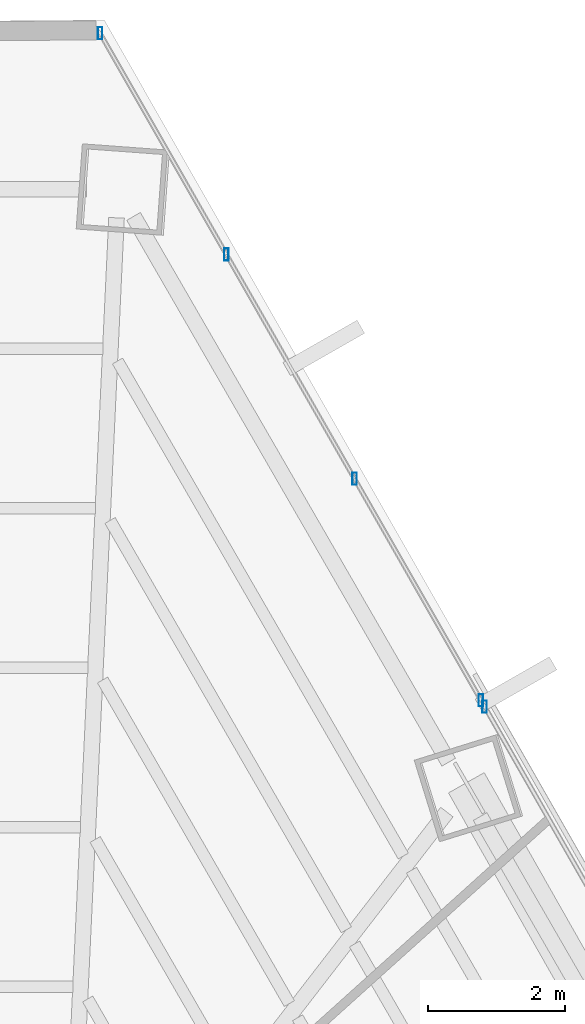
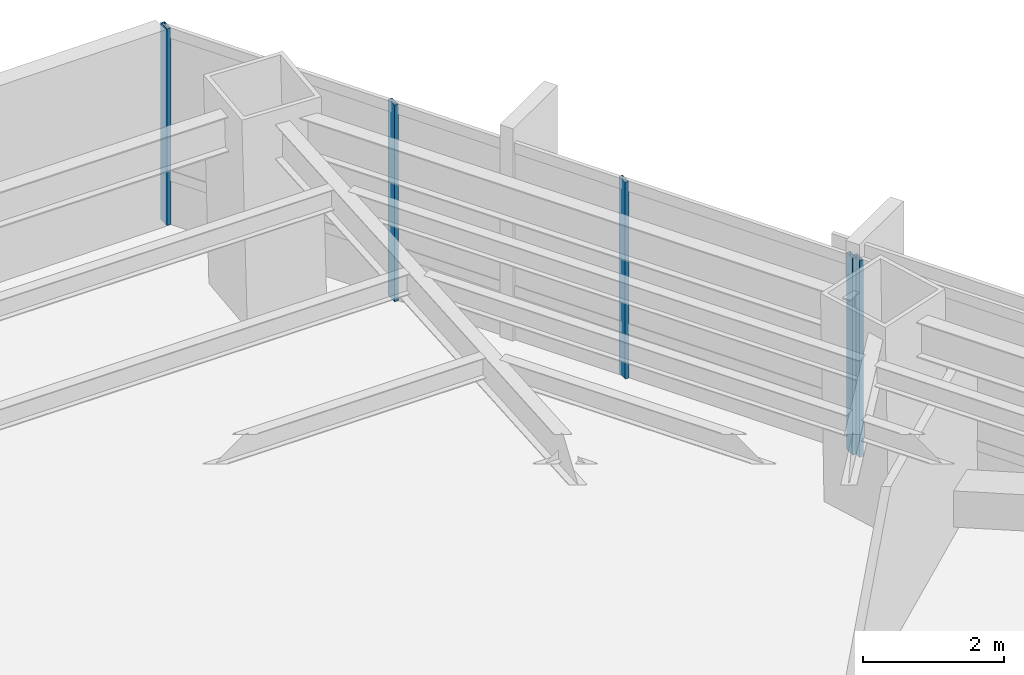
# One storey, part 30 of 38: 5 members, 2 elements without a shape of their own.
"""IFC4 building model written with IfcOpenShell, lengths in metres."""

from ifc_helpers import new_model, si_unit, direction, frame, origin, origin_2d, place, context, subcontext, project, spatial, hollow_rectangle, extrude, source, transform, mapped, material, material_profile, profile_set, type_object, type_shapes, element, aggregate, save


model = new_model("IFC4")

# Units and contexts
model_context = context("Model", 3, precision=1e-05, world=origin(), true_north=direction((0.0, 1.0)))
body_context = subcontext(model_context, "Body", "Model", "MODEL_VIEW")
ifc_project = project(units=[si_unit("LENGTHUNIT", "METRE"), si_unit("AREAUNIT", "SQUARE_METRE"), si_unit("VOLUMEUNIT", "CUBIC_METRE"), si_unit("PLANEANGLEUNIT", "RADIAN"), si_unit("MASSUNIT", "GRAM", prefix="KILO")], contexts=[model_context])

# Site, building, storey
site_placement = place(None, origin())
site = spatial("IfcSite", under=ifc_project, at=site_placement, CompositionType="ELEMENT")
building_placement = place(site_placement, origin())
building = spatial("IfcBuilding", under=site, at=building_placement, Name="Caelisora Broadcast Tower", CompositionType="ELEMENT")
storey_placement = place(building_placement, frame((0.0, 0.0, 67.75)))
storey = spatial("IfcBuildingStorey", under=building, at=storey_placement, Name="L17", CompositionType="ELEMENT", Elevation=67.75)

# Curtain wall, members
ifc_material_1 = material(Name="Unitised Aluminium and Low-E Glass Curtain Wall", Category="glass")
curtain_wall_type_1 = type_object("IfcCurtainWallType", Name="CW-Z1", PredefinedType="NOTDEFINED", material=ifc_material_1)
curtain_wall_1_placement = place(storey_placement, origin())
curtain_wall_1 = element("IfcCurtainWall", 1, at=curtain_wall_1_placement, inside=storey, type_object=curtain_wall_type_1, Name="L17 curtain wall CW-Z1", PredefinedType="NOTDEFINED")
ifc_material_2 = material(Name="Aluminium 6063-T6 Anodised Terracotta Bronze", Category="aluminium")
ifc_material_profile = material_profile(ifc_material_2, hollow_rectangle(XDim=0.06494140625, YDim=0.179931640625, WallThickness=0.00341796875, at=origin_2d()), Name="Aluminium 6063-T6 Anodised Terracotta Bronze")
ifc_profile_set = profile_set([ifc_material_profile], Name="Aluminium 6063-T6 Anodised Terracotta Bronze")
member_type = type_object("IfcMemberType", Name="CWM-02", PredefinedType="MULLION", material=ifc_profile_set)
shared_shape = source(origin(), body_context, "Body", "SweptSolid", [
    extrude(hollow_rectangle(XDim=0.06494140625, YDim=0.179931640625, WallThickness=0.00341796875, at=origin_2d()), origin(), (0.0, 0.0, 1.0), 3.39990234375),
])
type_shapes(member_type, [shared_shape])
member_1_placement = place(storey_placement, frame((46.00390625, 48.632568359375, 0.0), z_axis=(0.0, 0.0, 1.0), x_axis=(1.0, 0.0, 0.0)))
member_1 = element("IfcMember", 2, at=member_1_placement, type_object=member_type, Name="L17-CW-B01 mullion #0", PredefinedType="MULLION", context=body_context, shape_type="MappedRepresentation", body=[
    mapped(shared_shape, transform((0.0, 0.0, 0.0), scale=1.0)),
])
member_2_placement = place(storey_placement, frame((47.85498046875, 45.391845703125, 0.0), z_axis=(0.0, 0.0, 1.0), x_axis=(1.0, 0.0, 0.0)))
member_2 = element("IfcMember", 3, at=member_2_placement, type_object=member_type, Name="L17-CW-B01 mullion #1", PredefinedType="MULLION", context=body_context, shape_type="MappedRepresentation", body=[
    mapped(shared_shape, transform((0.0, 0.0, 0.0), scale=1.0)),
])
member_3_placement = place(storey_placement, frame((49.730712890625, 42.107666015625, 0.0), z_axis=(0.0, 0.0, 1.0), x_axis=(1.0, 0.0, 0.0)))
member_3 = element("IfcMember", 4, at=member_3_placement, type_object=member_type, Name="L17-CW-B01 mullion #2", PredefinedType="MULLION", context=body_context, shape_type="MappedRepresentation", body=[
    mapped(shared_shape, transform((0.0, 0.0, 0.0), scale=1.0)),
])
member_4_placement = place(storey_placement, frame((51.581787109375, 38.86669921875, 0.0), z_axis=(0.0, 0.0, 1.0), x_axis=(1.0, 0.0, 0.0)))
member_4 = element("IfcMember", 5, at=member_4_placement, type_object=member_type, Name="L17-CW-B01 mullion #3", PredefinedType="MULLION", context=body_context, shape_type="MappedRepresentation", body=[
    mapped(shared_shape, transform((0.0, 0.0, 0.0), scale=1.0)),
])
aggregate(curtain_wall_1, [member_1, member_2, member_3, member_4])

# Curtain wall, member
ifc_material_3 = material(Name="Unitised Aluminium Insulated Shadow-Box Spandrel Curtain Wall", Category="aluminium")
curtain_wall_type_2 = type_object("IfcCurtainWallType", Name="CW-SP1", PredefinedType="NOTDEFINED", material=ifc_material_3)
curtain_wall_2_placement = place(storey_placement, origin())
curtain_wall_2 = element("IfcCurtainWall", 6, at=curtain_wall_2_placement, inside=storey, type_object=curtain_wall_type_2, Name="L17 curtain wall CW-SP1", PredefinedType="NOTDEFINED")
member_5_placement = place(storey_placement, frame((51.636474609375, 38.771240234375, 0.0), z_axis=(0.0, 0.0, 1.0), x_axis=(1.0, 0.0, 0.0)))
member_5 = element("IfcMember", 7, at=member_5_placement, type_object=member_type, Name="L17-CW-B02 mullion #0", PredefinedType="MULLION", context=body_context, shape_type="MappedRepresentation", body=[
    mapped(shared_shape, transform((0.0, 0.0, 0.0), scale=1.0)),
])
aggregate(curtain_wall_2, [member_5])

save(model, "model.ifc")
